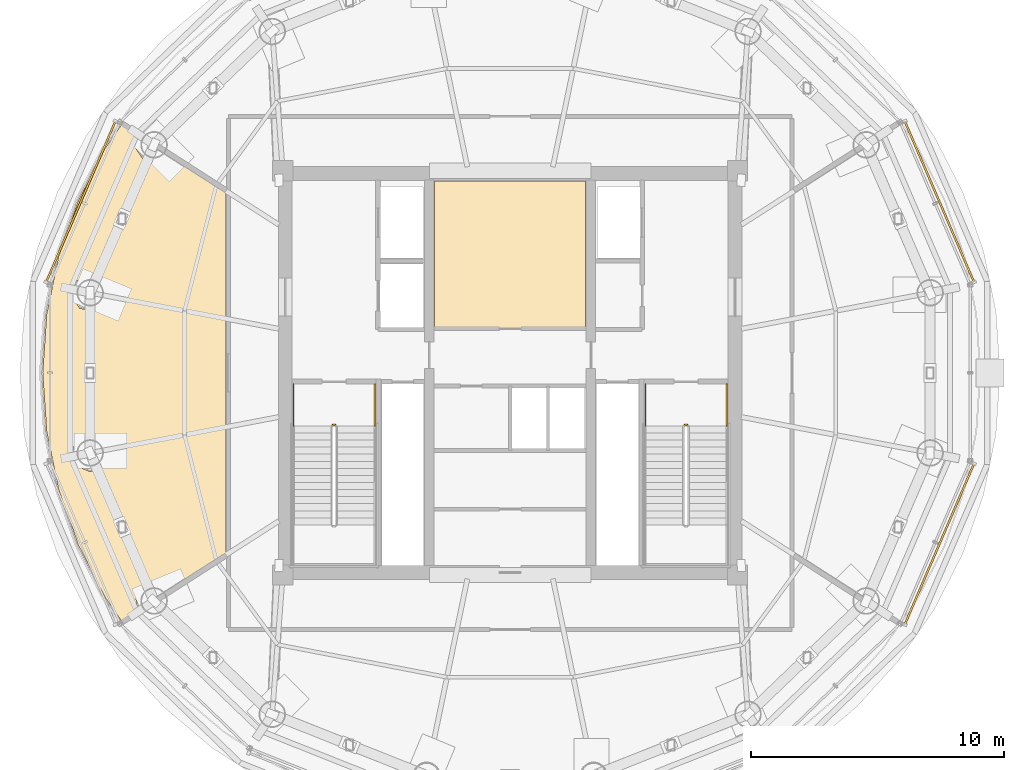
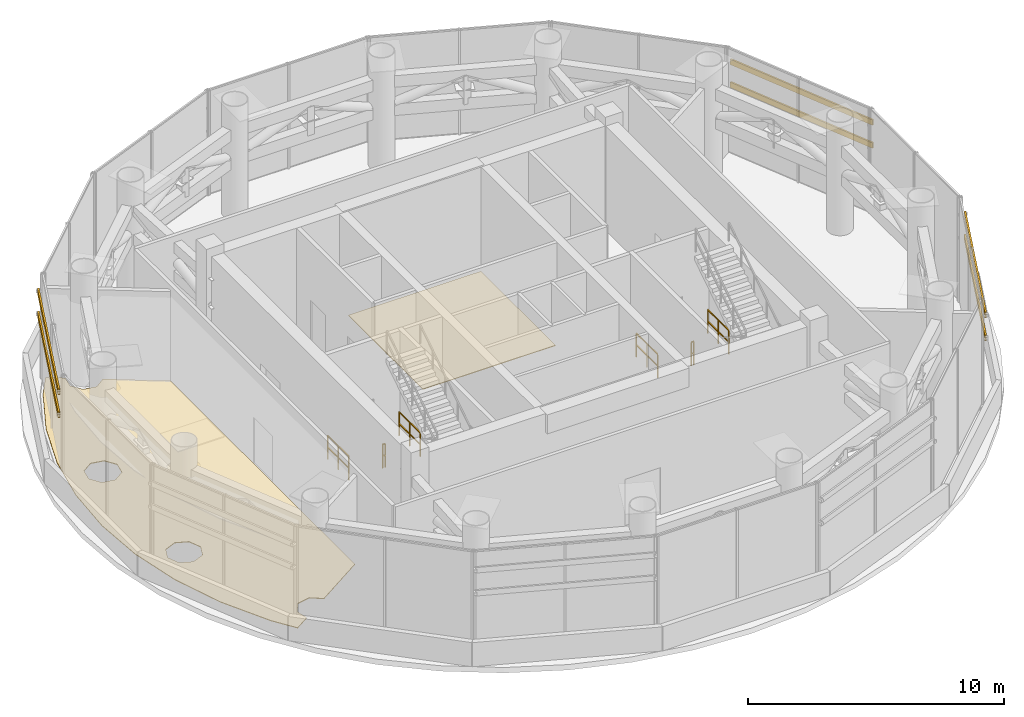
# One storey, part 20 of 21: 6 railings, 6 shading devices, 2 coverings.
"""IFC4 building model written with IfcOpenShell, lengths in metres."""

from ifc_helpers import new_model, si_unit, direction, frame, origin, origin_2d, place, context, subcontext, project, spatial, polyline, rectangle, hollow_rectangle, outline, extrude, source, transform, mapped, material, layer, layer_set, material_profile, profile_set, type_object, element, save


model = new_model("IFC4")

# Units and contexts
model_context = context("Model", 3, precision=1e-05, world=origin(), true_north=direction((-0.2419218956, 0.970295726276)))
body_context = subcontext(model_context, "Body", "Model", "MODEL_VIEW")
ifc_project = project(units=[si_unit("LENGTHUNIT", "METRE"), si_unit("AREAUNIT", "SQUARE_METRE"), si_unit("VOLUMEUNIT", "CUBIC_METRE"), si_unit("PLANEANGLEUNIT", "RADIAN"), si_unit("MASSUNIT", "GRAM", prefix="KILO")], contexts=[model_context])

# Site, building, storey
site_placement = place(None, origin())
site = spatial("IfcSite", under=ifc_project, at=site_placement, CompositionType="ELEMENT")
building_placement = place(site_placement, origin())
building = spatial("IfcBuilding", under=site, at=building_placement, Name="Cobrevalo Terracotta Tower", CompositionType="ELEMENT")
storey_placement = place(building_placement, frame((0.0, 0.0, 300.699951171875)))
storey = spatial("IfcBuildingStorey", under=building, at=storey_placement, Name="L79", CompositionType="ELEMENT", Elevation=300.699951171875)

# Coverings
ifc_material_1 = material(Name="Honed terracotta and granite tile", Category="masonry")
ifc_layer = layer(ifc_material_1, 0.034912109375)
ifc_layer_set = layer_set([ifc_layer], Name="Honed terracotta and granite tile")
covering_type = type_object("IfcCoveringType", Name="Honed Terracotta & Granite Interior Flooring 35", PredefinedType="FLOORING", material=ifc_layer_set)
covering_1_placement = place(storey_placement, origin())
element("IfcCovering", 1, at=covering_1_placement, inside=storey, type_object=covering_type, Name="Floor Electrical Switchroom floor finish", PredefinedType="FLOORING", context=body_context, shape_type="SweptSolid", body=[
    extrude(outline(polyline([(35.010009765625, 34.405029296875), (40.989990234375, 34.405029296875), (40.989990234375, 28.580078125), (35.010009765625, 28.580078125), (35.010009765625, 34.405029296875)])), origin(), (0.0, 0.0, 1.0), 0.030029296875),
])
covering_2_placement = place(storey_placement, origin())
element("IfcCovering", 2, at=covering_2_placement, inside=storey, type_object=covering_type, Name="L79 Pressurized Fire Refuge Area floor finish", PredefinedType="FLOORING", context=body_context, shape_type="SweptSolid", body=[
    extrude(outline(polyline([(20.908203125, 19.988525390625), (20.13037109375, 22.193115234375), (19.658203125, 24.476806640625), (19.5, 26.800048828125), (19.658203125, 29.123291015625), (20.13037109375, 31.40673828125), (20.908203125, 33.611572265625), (21.978515625, 35.69970703125), (22.640380859375, 36.653076171875), (23.291748046875, 36.234130859375), (23.1806640625, 35.68359375), (23.495361328125, 35.212646484375), (24.051025390625, 35.10205078125), (24.52978515625, 35.43798828125), (26.7451171875, 34.013671875), (26.7451171875, 19.58642578125), (24.52978515625, 18.162109375), (24.051025390625, 18.497802734375), (23.495361328125, 18.387451171875), (23.1806640625, 17.916259765625), (23.291748046875, 17.365966796875), (22.640380859375, 16.947021484375), (21.978515625, 17.900390625), (20.908203125, 19.988525390625)]), holes=[polyline([(21.89892578125, 23.1064453125), (22.11572265625, 23.6298828125), (21.89892578125, 24.153076171875), (21.375732421875, 24.369873046875), (20.852294921875, 24.153076171875), (20.635498046875, 23.6298828125), (20.852294921875, 23.1064453125), (21.375732421875, 22.8896484375), (21.89892578125, 23.1064453125)]), polyline([(21.990966796875, 29.55908203125), (22.1015625, 30.114501953125), (21.786865234375, 30.585693359375), (21.231201171875, 30.696044921875), (20.76025390625, 30.38134765625), (20.64990234375, 29.825927734375), (20.964599609375, 29.354736328125), (21.52001953125, 29.244384765625), (21.990966796875, 29.55908203125)])]), origin(), (0.0, 0.0, 1.0), 0.030029296875),
])

# Railings
ifc_material_2 = material(Name="Painted galvanized steel", Category="steel")
railing_type = type_object("IfcRailingType", Name="Stair Well Guard Balustrade 1150", PredefinedType="GUARDRAIL", material=ifc_material_2)
railing_1_placement = place(storey_placement, frame((30.97509765625, 24.75, 0.0)))
element("IfcRailing", 3, at=railing_1_placement, inside=storey, type_object=railing_type, Name="L79 ST-1 stair guard 7", PredefinedType="GUARDRAIL", context=body_context, shape_type="SweptSolid", body=[
    extrude(rectangle(XDim=0.048095703125, YDim=0.048095703125, at=origin_2d()), frame((0.0, 0.0, 1.1259765625), z_axis=(1.0, 0.0, 0.0), x_axis=(0.0, 1.0, 0.0)), (0.0, 0.0, 1.0), 0.119873046875),
    extrude(rectangle(XDim=0.048095703125, YDim=0.048095703125, at=origin_2d()), frame((0.0, 0.0, 0.574951171875), z_axis=(1.0, 0.0, 0.0), x_axis=(0.0, 1.0, 0.0)), (0.0, 0.0, 1.0), 0.119873046875),
    extrude(rectangle(XDim=0.0419921875, YDim=0.0419921875, at=origin_2d()), origin(), (0.0, 0.0, 1.0), 1.101806640625),
    extrude(rectangle(XDim=0.0419921875, YDim=0.0419921875, at=origin_2d()), frame((0.119873046875, 0.0, 0.0)), (0.0, 0.0, 1.0), 1.101806640625),
])
for number, where, name in (
    (4, (29.425048828125, 26.35009765625, 0.0), "L79 ST-1 stair guard 8"),
    (5, (32.64501953125, 26.35009765625, 0.0), "L79 ST-1 stair guard 9"),
):
    element("IfcRailing", number, at=place(storey_placement, frame(where)), inside=storey, type_object=railing_type, Name=name, PredefinedType="GUARDRAIL", context=body_context, shape_type="SweptSolid", body=[
        extrude(rectangle(XDim=0.048095703125, YDim=0.048095703125, at=origin_2d()), frame((0.0, 0.0, 1.1259765625), z_axis=(0.0, -1.0, 0.0), x_axis=(1.0, 0.0, 0.0)), (0.0, 0.0, 1.0), 1.650146484375),
        extrude(rectangle(XDim=0.048095703125, YDim=0.048095703125, at=origin_2d()), frame((0.0, 0.0, 0.574951171875), z_axis=(0.0, -1.0, 0.0), x_axis=(1.0, 0.0, 0.0)), (0.0, 0.0, 1.0), 1.650146484375),
        extrude(rectangle(XDim=0.0419921875, YDim=0.0419921875, at=origin_2d()), origin(), (0.0, 0.0, 1.0), 1.101806640625),
        extrude(rectangle(XDim=0.0419921875, YDim=0.0419921875, at=origin_2d()), frame((0.0, -0.8251953125, 0.0)), (0.0, 0.0, 1.0), 1.101806640625),
        extrude(rectangle(XDim=0.0419921875, YDim=0.0419921875, at=origin_2d()), frame((0.0, -1.650146484375, 0.0)), (0.0, 0.0, 1.0), 1.101806640625),
    ])
railing_2_placement = place(storey_placement, frame((44.905029296875, 24.75, 0.0)))
element("IfcRailing", 6, at=railing_2_placement, inside=storey, type_object=railing_type, Name="L79 ST-2 stair guard 7", PredefinedType="GUARDRAIL", context=body_context, shape_type="SweptSolid", body=[
    extrude(rectangle(XDim=0.048095703125, YDim=0.048095703125, at=origin_2d()), frame((0.0, 0.0, 1.1259765625), z_axis=(1.0, 0.0, 0.0), x_axis=(0.0, 1.0, 0.0)), (0.0, 0.0, 1.0), 0.119873046875),
    extrude(rectangle(XDim=0.048095703125, YDim=0.048095703125, at=origin_2d()), frame((0.0, 0.0, 0.574951171875), z_axis=(1.0, 0.0, 0.0), x_axis=(0.0, 1.0, 0.0)), (0.0, 0.0, 1.0), 0.119873046875),
    extrude(rectangle(XDim=0.0419921875, YDim=0.0419921875, at=origin_2d()), origin(), (0.0, 0.0, 1.0), 1.101806640625),
    extrude(rectangle(XDim=0.0419921875, YDim=0.0419921875, at=origin_2d()), frame((0.119873046875, 0.0, 0.0)), (0.0, 0.0, 1.0), 1.101806640625),
])
for number, where, name in (
    (7, (43.35498046875, 26.35009765625, 0.0), "L79 ST-2 stair guard 8"),
    (8, (46.574951171875, 26.35009765625, 0.0), "L79 ST-2 stair guard 9"),
):
    element("IfcRailing", number, at=place(storey_placement, frame(where)), inside=storey, type_object=railing_type, Name=name, PredefinedType="GUARDRAIL", context=body_context, shape_type="SweptSolid", body=[
        extrude(rectangle(XDim=0.048095703125, YDim=0.048095703125, at=origin_2d()), frame((0.0, 0.0, 1.1259765625), z_axis=(0.0, -1.0, 0.0), x_axis=(1.0, 0.0, 0.0)), (0.0, 0.0, 1.0), 1.650146484375),
        extrude(rectangle(XDim=0.048095703125, YDim=0.048095703125, at=origin_2d()), frame((0.0, 0.0, 0.574951171875), z_axis=(0.0, -1.0, 0.0), x_axis=(1.0, 0.0, 0.0)), (0.0, 0.0, 1.0), 1.650146484375),
        extrude(rectangle(XDim=0.0419921875, YDim=0.0419921875, at=origin_2d()), origin(), (0.0, 0.0, 1.0), 1.101806640625),
        extrude(rectangle(XDim=0.0419921875, YDim=0.0419921875, at=origin_2d()), frame((0.0, -0.8251953125, 0.0)), (0.0, 0.0, 1.0), 1.101806640625),
        extrude(rectangle(XDim=0.0419921875, YDim=0.0419921875, at=origin_2d()), frame((0.0, -1.650146484375, 0.0)), (0.0, 0.0, 1.0), 1.101806640625),
    ])

# Shading devices
ifc_material_3 = material(Name="Anodized aluminium and terracotta", Category="masonry")
ifc_material_profile = material_profile(ifc_material_3, hollow_rectangle(XDim=0.074951171875, YDim=0.260009765625, WallThickness=0.006103515625, at=origin_2d()), Name="LOUVRE BLADE 75x260")
ifc_profile_set = profile_set([ifc_material_profile], Name="Anodized aluminium and terracotta")
shading_device_type = type_object("IfcShadingDeviceType", Name="Plant Acoustic Weather Louvre Blade 75x260", PredefinedType="USERDEFINED", material=ifc_profile_set)
shared_shape = source(origin(), body_context, "Body", "SweptSolid", [
    extrude(hollow_rectangle(XDim=0.074951171875, YDim=0.260009765625, WallThickness=0.006103515625, at=origin_2d()), origin(), (0.0, 0.0, 1.0), 6.93310546875),
])
for number, where, z_axis, x_axis, name in (
    (9, (56.36279296875, 30.394287109375, 3.087646484375), (-0.395380780979, 0.918517304155, 0.0), (-0.918517304155, -0.395380780979, 0.0), "CW-LV-L79-S01 horizontal terracotta louvre 1"),
    (10, (56.36279296875, 30.394287109375, 4.183349609375), (-0.395380780979, 0.918517304155, 0.0), (-0.918517304155, -0.395380780979, 0.0), "CW-LV-L79-S01 horizontal terracotta louvre 2"),
    (11, (22.37841796875, 36.762451171875, 3.087646484375), (-0.395380780979, -0.918517304155, 0.0), (0.918517304155, -0.395380780979, 0.0), "CW-LV-L79-S07 horizontal terracotta louvre 1"),
    (12, (22.37841796875, 36.762451171875, 4.183349609375), (-0.395380780979, -0.918517304155, 0.0), (0.918517304155, -0.395380780979, 0.0), "CW-LV-L79-S07 horizontal terracotta louvre 2"),
    (13, (53.62158203125, 16.837646484375, 3.087646484375), (0.395380780979, 0.918517304155, 0.0), (-0.918517304155, 0.395380780979, 0.0), "CW-LV-L79-S15 horizontal terracotta louvre 1"),
    (14, (53.62158203125, 16.837646484375, 4.183349609375), (0.395380780979, 0.918517304155, 0.0), (-0.918517304155, 0.395380780979, 0.0), "CW-LV-L79-S15 horizontal terracotta louvre 2"),
):
    element("IfcShadingDevice", number, at=place(storey_placement, frame(where, z_axis=z_axis, x_axis=x_axis)), inside=storey, type_object=shading_device_type, Name=name, ObjectType="LOUVRE", PredefinedType="USERDEFINED", context=body_context, shape_type="MappedRepresentation", body=[
        mapped(shared_shape, transform((0.0, 0.0, 0.0), scale=1.0)),
    ])

save(model, "model.ifc")
